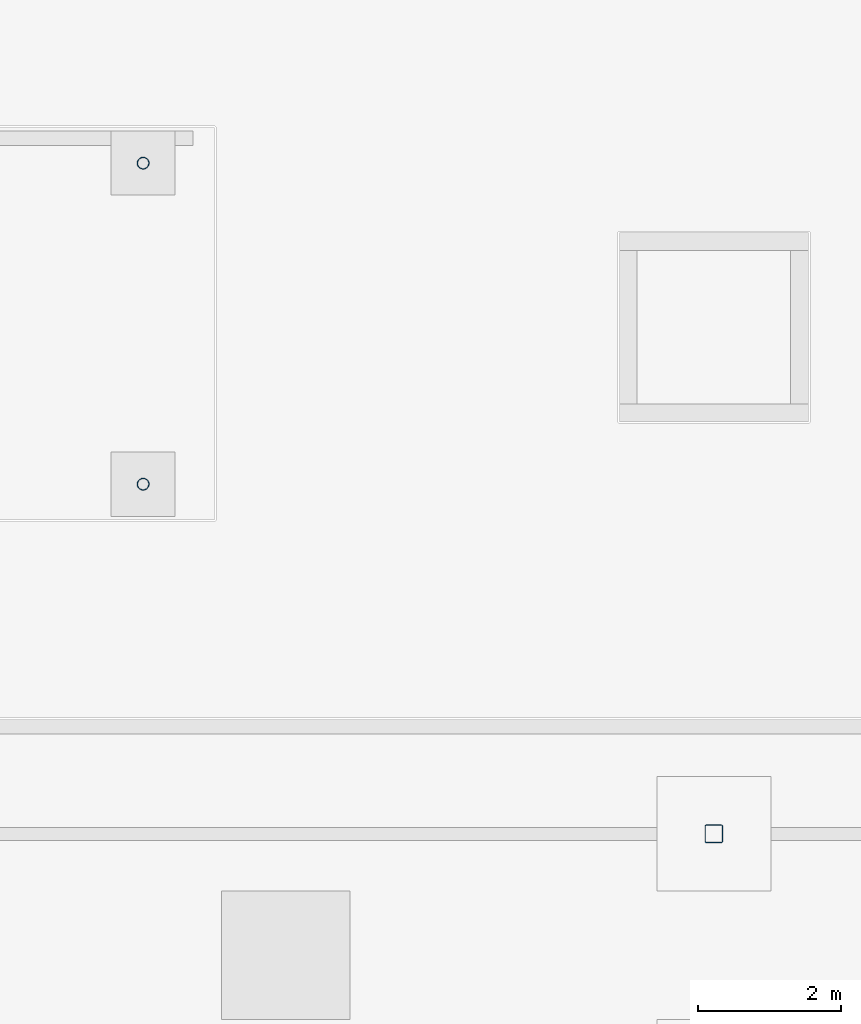
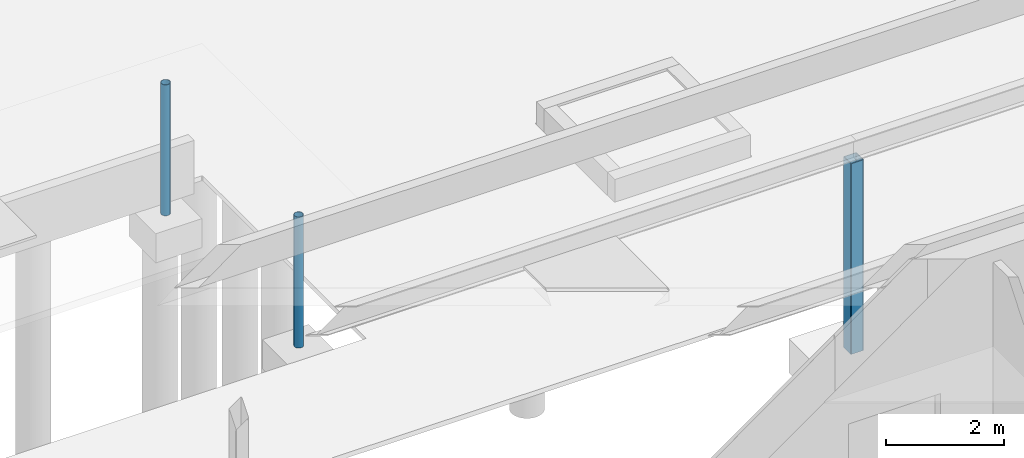
# One storey, part 17 of 157: 3 columns.
"""IFC4 building model written with IfcOpenShell, lengths in metres."""

from ifc_helpers import new_model, si_unit, direction, frame, origin, origin_2d, place, context, subcontext, project, spatial, hollow_rectangle, hollow_circle, extrude, material, material_profile, profile_set, type_object, element, save


model = new_model("IFC4")

# Units and contexts
model_context = context("Model", 3, precision=1e-05, world=origin(), true_north=direction((0.0, 1.0)))
body_context = subcontext(model_context, "Body", "Model", "MODEL_VIEW")
ifc_project = project(units=[si_unit("LENGTHUNIT", "METRE"), si_unit("AREAUNIT", "SQUARE_METRE"), si_unit("VOLUMEUNIT", "CUBIC_METRE"), si_unit("PLANEANGLEUNIT", "RADIAN"), si_unit("MASSUNIT", "GRAM", prefix="KILO")], contexts=[model_context])

# Site, building, storey
site_placement = place(None, origin())
site = spatial("IfcSite", under=ifc_project, at=site_placement, CompositionType="ELEMENT")
building_placement = place(site_placement, origin())
building = spatial("IfcBuilding", under=site, at=building_placement, Name="Windward Yard Aquatics Centre", CompositionType="ELEMENT")
storey_placement = place(building_placement, origin())
storey = spatial("IfcBuildingStorey", under=building, at=storey_placement, Name="L00", CompositionType="ELEMENT", Elevation=0.0)

# Columns
ifc_material = material(Name="Steel ASTM A500 Gr C", Category="steel")
ifc_material_profile_1 = material_profile(ifc_material, hollow_rectangle(XDim=0.25390625, YDim=0.25390625, WallThickness=0.0126953125, InnerFilletRadius=0.00634765625, OuterFilletRadius=0.01904296875, at=origin_2d()), Name="HSS254X254X12.7")
ifc_profile_set_1 = profile_set([ifc_material_profile_1], Name="Steel ASTM A500 Gr C")
column_type_1 = type_object("IfcColumnType", Name="A column HSS254X254X12.7", PredefinedType="COLUMN", material=ifc_profile_set_1)
column_placement = place(storey_placement, frame((96.0, 100.39990234375, 0.0), z_axis=(0.0, 0.0, 1.0), x_axis=(1.0, 0.0, 0.0)))
element("IfcColumn", 1, at=column_placement, inside=storey, type_object=column_type_1, Name="A.COL.L00.5.2", PredefinedType="COLUMN", context=body_context, shape_type="SweptSolid", body=[
    extrude(hollow_rectangle(XDim=0.25390625, YDim=0.25390625, WallThickness=0.0126953125, InnerFilletRadius=0.00634765625, OuterFilletRadius=0.01904296875, at=origin_2d()), origin(), (0.0, 0.0, 1.0), 3.93310546875),
])
ifc_material_profile_2 = material_profile(ifc_material, hollow_circle(Radius=0.084228515625, WallThickness=0.007080078125, at=origin_2d()), Name="HSS168.3X7.1")
ifc_profile_set_2 = profile_set([ifc_material_profile_2], Name="Steel ASTM A500 Gr C")
column_type_2 = type_object("IfcColumnType", Name="X Shelter Post HSS168.3X7.1", PredefinedType="COLUMN", material=ifc_profile_set_2)
for number, where, z_axis, x_axis, name in (
    (2, (88.0, 105.300048828125, -0.10009765625), (0.0, 0.0, 1.0), (1.0, 0.0, 0.0), "Bicycle shelter post 5"),
    (3, (88.0, 109.800048828125, -0.10009765625), (0.0, 0.0, 1.0), (1.0, 0.0, 0.0), "Bicycle shelter post 6"),
):
    element("IfcColumn", number, at=place(storey_placement, frame(where, z_axis=z_axis, x_axis=x_axis)), inside=storey, type_object=column_type_2, Name=name, PredefinedType="COLUMN", context=body_context, shape_type="SweptSolid", body=[
        extrude(hollow_circle(Radius=0.084228515625, WallThickness=0.007080078125, at=origin_2d()), origin(), (0.0, 0.0, 1.0), 2.7001953125),
    ])

save(model, "model.ifc")
